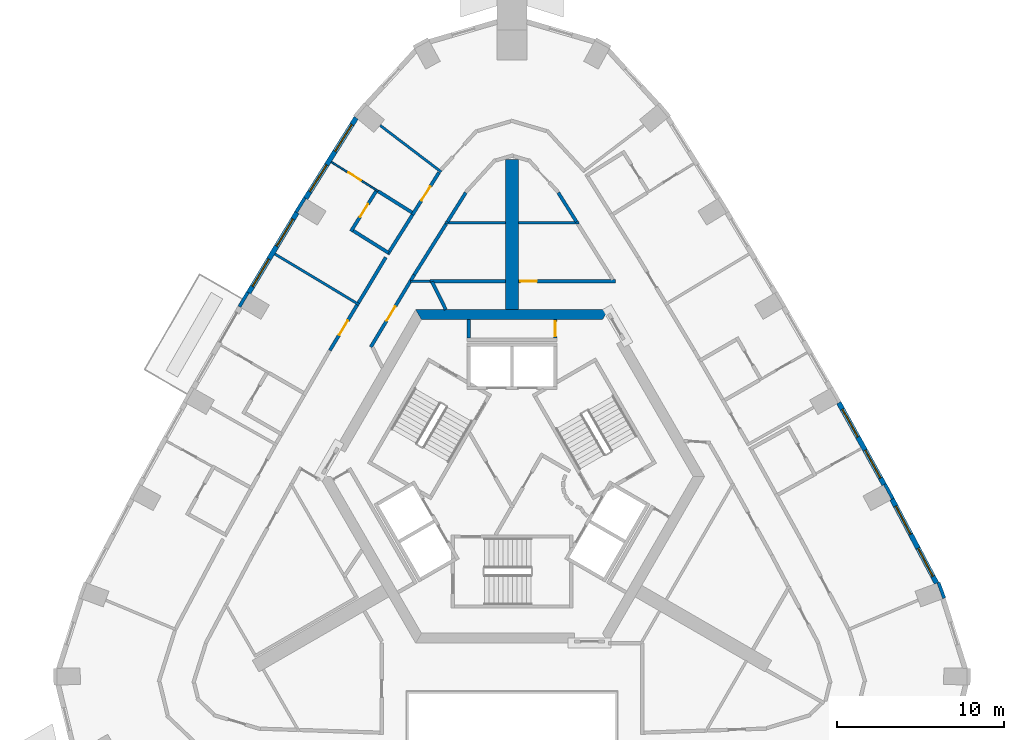
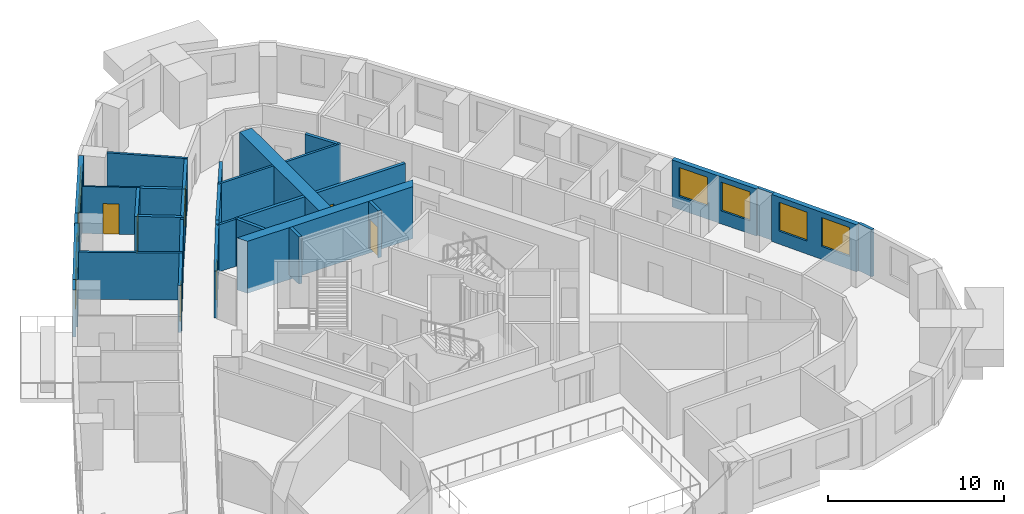
# One storey, part 8 of 13: 33 walls, 8 windows, 7 doors, 15 openings.
"""IFC4 building model written with IfcOpenShell, lengths in metres."""

from ifc_helpers import new_model, si_unit, direction, frame, frame_2d, origin, place, context, subcontext, project, spatial, polyline, rectangle, outline, extrude, material, layer, layer_set, type_object, element, fill, save


model = new_model("IFC4")

# Units and contexts
model_context = context("Model", 3, precision=1e-05, world=origin(), true_north=direction((0.0, 1.0)))
body_context = subcontext(model_context, "Body", "Model", "MODEL_VIEW")
ifc_project = project(units=[si_unit("LENGTHUNIT", "METRE"), si_unit("AREAUNIT", "SQUARE_METRE"), si_unit("VOLUMEUNIT", "CUBIC_METRE"), si_unit("PLANEANGLEUNIT", "RADIAN"), si_unit("MASSUNIT", "GRAM", prefix="KILO")], contexts=[model_context])

# Site, building, storey
site_placement = place(None, origin())
site = spatial("IfcSite", under=ifc_project, at=site_placement, CompositionType="ELEMENT")
building_placement = place(site_placement, origin())
building = spatial("IfcBuilding", under=site, at=building_placement, Name="Entoto Arch Interchange Tower", CompositionType="ELEMENT")
storey_placement = place(building_placement, frame((0.0, 0.0, 270.199951171875)))
storey = spatial("IfcBuildingStorey", under=building, at=storey_placement, Name="L62", CompositionType="ELEMENT", Elevation=270.199951171875)

# Walls
ifc_material_1 = material(Name="Concrete C40/50", Category="concrete")
ifc_layer_1 = layer(ifc_material_1, 0.800048828125)
ifc_layer_set_1 = layer_set([ifc_layer_1], Name="Concrete C40/50")
wall_type_1 = type_object("IfcWallType", Name="Buttress wall 800 C40/50", PredefinedType="SHEAR", material=ifc_layer_set_1)
wall_1_placement = place(storey_placement, frame((0.0, 12.5, -0.33984375), z_axis=(0.0, 0.0, 1.0), x_axis=(0.0, 1.0, 0.0)))
element("IfcWall", 1, at=wall_1_placement, inside=storey, type_object=wall_type_1, Name="Buttress wall N L62", PredefinedType="SHEAR", context=body_context, shape_type="SweptSolid", body=[
    extrude(rectangle(XDim=9.0, YDim=0.800048828125, at=frame_2d((4.5, 0.0))), origin(), (0.0, 0.0, 1.0), 3.599853515625),
])
ifc_layer_2 = layer(ifc_material_1, 0.60009765625)
ifc_layer_set_2 = layer_set([ifc_layer_2], Name="Concrete C40/50")
wall_type_2 = type_object("IfcWallType", Name="Core wall 600 C40/50", PredefinedType="SHEAR", material=ifc_layer_set_2)
wall_2_placement = place(storey_placement, frame((0.0, 0.0, -0.33984375)))
element("IfcWall", 2, at=wall_2_placement, inside=storey, type_object=wall_type_2, Name="Core wall N L62", PredefinedType="SHEAR", context=body_context, shape_type="SweptSolid", body=[
    extrude(outline(polyline([(5.77392578125, 12.5), (-5.77392578125, 12.5), (-5.427001953125, 11.89990234375), (5.427001953125, 11.89990234375), (5.77392578125, 12.5)])), origin(), (0.0, 0.0, 1.0), 3.599853515625),
])

# Wall, opening, door
ifc_material_2 = material(Name="Gypsum board partition on steel studs", Category="steel")
ifc_layer_3 = layer(ifc_material_2, 0.10009765625)
ifc_layer_set_3 = layer_set([ifc_layer_3], Name="Gypsum board partition on steel studs")
wall_type_3 = type_object("IfcWallType", Name="PARTITION 100", PredefinedType="PARTITIONING", material=ifc_layer_set_3)
wall_3_placement = place(storey_placement, frame((-8.029052734375, 19.597900390625, 0.0), z_axis=(0.0, 0.0, 1.0), x_axis=(-0.847216023371, 0.531248538581, 0.0)))
wall_3 = element("IfcWall", 3, at=wall_3_placement, inside=storey, type_object=wall_type_3, Name="wall:L62:p129", PredefinedType="PARTITIONING", context=body_context, shape_type="SweptSolid", body=[
    extrude(rectangle(XDim=3.300048828125, YDim=0.10009765625, at=frame_2d((1.64990234375, 0.0))), origin(), (0.0, 0.0, 1.0), 3.260009765625),
])
opening_1_placement = place(wall_3_placement, frame((1.199951171875, 0.0, 0.0)))
opening_1 = element("IfcOpeningElement", 4, at=opening_1_placement, cuts=wall_3, Name="Opening L62-D11", PredefinedType="OPENING", context=body_context, shape_type="SweptSolid", body=[
    extrude(rectangle(XDim=0.89990234375, YDim=2.10009765625, at=frame_2d((0.449951171875, 1.050048828125))), frame((0.0, 0.06005859375, 0.0), z_axis=(0.0, -1.0, 0.0), x_axis=(1.0, 0.0, 0.0)), (0.0, 0.0, 1.0), 0.1201171875),
])
ifc_material_3 = material(Name="Timber door leaf in Steel S235 frame", Category="steel")
door_type_1 = type_object("IfcDoorType", Name="DOOR DS-09 900x2100", OperationType="SINGLE_SWING_LEFT", PredefinedType="DOOR", material=ifc_material_3)
door_1_placement = place(opening_1_placement, origin())
door_1 = element("IfcDoor", 5, at=door_1_placement, inside=storey, type_object=door_type_1, Name="door:L62:11", OperationType="SINGLE_SWING_RIGHT", OverallHeight=2.10009765625, OverallWidth=0.89990234375, PredefinedType="DOOR", context=body_context, shape_type="SweptSolid", body=[
    extrude(rectangle(XDim=0.89990234375, YDim=2.10009765625, at=frame_2d((0.449951171875, 1.050048828125))), frame((0.0, 0.02490234375, 0.0), z_axis=(0.0, -1.0, 0.0), x_axis=(1.0, 0.0, 0.0)), (0.0, 0.0, 1.0), 0.050048828125),
])
fill(opening_1, door_1)

# Walls
ifc_layer_4 = layer(ifc_material_2, 0.14990234375)
ifc_layer_set_4 = layer_set([ifc_layer_4], Name="Gypsum board partition on steel studs")
wall_type_4 = type_object("IfcWallType", Name="PARTITION 150", PredefinedType="PARTITIONING", material=ifc_layer_set_4)
wall_4_placement = place(storey_placement, frame((-4.904052734375, 14.199951171875, 0.0), z_axis=(0.0, 0.0, 1.0), x_axis=(-1.0, 0.0, 0.0)))
element("IfcWall", 6, at=wall_4_placement, inside=storey, type_object=wall_type_4, Name="wall:L62:p083", PredefinedType="PARTITIONING", context=body_context, shape_type="SweptSolid", body=[
    extrude(rectangle(XDim=1.18896484375, YDim=0.14990234375, at=frame_2d((0.594482421875, 0.0))), origin(), (0.0, 0.0, 1.0), 3.260009765625),
])
wall_5_placement = place(storey_placement, frame((-4.008056640625, 17.699951171875, 0.0), z_axis=(0.0, 0.0, 1.0), x_axis=(1.0, 0.0, 0.0)))
element("IfcWall", 7, at=wall_5_placement, inside=storey, type_object=wall_type_4, Name="wall:L62:p104", PredefinedType="PARTITIONING", context=body_context, shape_type="SweptSolid", body=[
    extrude(rectangle(XDim=3.608154296875, YDim=0.14990234375, at=frame_2d((1.80419921875, 0.0))), origin(), (0.0, 0.0, 1.0), 3.260009765625),
])
wall_6_placement = place(storey_placement, frame((-4.238037109375, 20.7509765625, 0.0), z_axis=(0.0, 0.0, 1.0), x_axis=(-0.795806473987, 0.605551034976, 0.0)))
element("IfcWall", 8, at=wall_6_placement, inside=storey, type_object=wall_type_4, Name="wall:L62:p128", PredefinedType="PARTITIONING", context=body_context, shape_type="SweptSolid", body=[
    extrude(rectangle(XDim=4.604248046875, YDim=0.14990234375, at=frame_2d((2.30224609375, 0.0))), origin(), (0.0, 0.0, 1.0), 3.260009765625),
])
wall_7_placement = place(storey_placement, frame((-9.156982421875, 12.7919921875, 0.0), z_axis=(0.0, 0.0, 1.0), x_axis=(-0.856933793276, 0.515426497129, 0.0)))
element("IfcWall", 9, at=wall_7_placement, inside=storey, type_object=wall_type_4, Name="wall:L62:p133", PredefinedType="PARTITIONING", context=body_context, shape_type="SweptSolid", body=[
    extrude(rectangle(XDim=5.89990234375, YDim=0.14990234375, at=frame_2d((2.949951171875, 0.0))), origin(), (0.0, 0.0, 1.0), 3.260009765625),
])
wall_8_placement = place(storey_placement, frame((0.39990234375, 17.699951171875, 0.0), z_axis=(0.0, 0.0, 1.0), x_axis=(1.0, 0.0, 0.0)))
element("IfcWall", 10, at=wall_8_placement, inside=storey, type_object=wall_type_4, Name="wall:L62:p104", PredefinedType="PARTITIONING", context=body_context, shape_type="SweptSolid", body=[
    extrude(rectangle(XDim=3.608154296875, YDim=0.14990234375, at=frame_2d((1.80419921875, 0.0))), origin(), (0.0, 0.0, 1.0), 3.260009765625),
])
ifc_layer_5 = layer(ifc_material_2, 0.199951171875)
ifc_layer_set_5 = layer_set([ifc_layer_5], Name="Gypsum board partition on steel studs")
wall_type_5 = type_object("IfcWallType", Name="PARTITION 200", PredefinedType="PARTITIONING", material=ifc_layer_set_5)
wall_9_placement = place(storey_placement, frame((-3.969970703125, 12.5, 0.0), z_axis=(0.0, 0.0, 1.0), x_axis=(-0.440355460167, 0.89782351757, 0.0)))
element("IfcWall", 11, at=wall_9_placement, inside=storey, type_object=wall_type_5, Name="wall:L62:p003", PredefinedType="PARTITIONING", context=body_context, shape_type="SweptSolid", body=[
    extrude(rectangle(XDim=1.868896484375, YDim=0.199951171875, at=frame_2d((0.9345703125, 0.0))), origin(), (0.0, 0.0, 1.0), 3.260009765625),
])

# Wall, opening, door
wall_10_placement = place(storey_placement, frame((-6.053955078125, 14.263916015625, 0.0), z_axis=(0.0, 0.0, 1.0), x_axis=(-0.515508653897, -0.856884372455, 0.0)))
wall_10 = element("IfcWall", 12, at=wall_10_placement, inside=storey, type_object=wall_type_5, Name="wall:L62:p004", PredefinedType="PARTITIONING", context=body_context, shape_type="SweptSolid", body=[
    extrude(rectangle(XDim=4.67724609375, YDim=0.199951171875, at=frame_2d((2.338623046875, 0.0))), origin(), (0.0, 0.0, 1.0), 3.260009765625),
])
opening_2_placement = place(wall_10_placement, frame((1.839111328125, 0.0, 0.0)))
opening_2 = element("IfcOpeningElement", 13, at=opening_2_placement, cuts=wall_10, Name="Opening L62-D33", PredefinedType="OPENING", context=body_context, shape_type="SweptSolid", body=[
    extrude(rectangle(XDim=1.0, YDim=2.10009765625, at=frame_2d((0.5, 1.050048828125))), frame((0.0, 0.10986328125, 0.0), z_axis=(0.0, -1.0, 0.0), x_axis=(1.0, 0.0, 0.0)), (0.0, 0.0, 1.0), 0.219970703125),
])
door_type_2 = type_object("IfcDoorType", Name="DOOR DS-10 1000x2100", OperationType="SINGLE_SWING_LEFT", PredefinedType="DOOR", material=ifc_material_3)
door_2_placement = place(opening_2_placement, origin())
door_2 = element("IfcDoor", 14, at=door_2_placement, inside=storey, type_object=door_type_2, Name="door:L62:33", OperationType="SINGLE_SWING_LEFT", OverallHeight=2.10009765625, OverallWidth=1.0, PredefinedType="DOOR", context=body_context, shape_type="SweptSolid", body=[
    extrude(rectangle(XDim=1.0, YDim=2.10009765625, at=frame_2d((0.5, 1.050048828125))), frame((0.0, 0.02490234375, 0.0), z_axis=(0.0, -1.0, 0.0), x_axis=(1.0, 0.0, 0.0)), (0.0, 0.0, 1.0), 0.050048828125),
])
fill(opening_2, door_2)

# Walls
wall_11_placement = place(storey_placement, frame((-4.904052734375, 14.199951171875, 0.0), z_axis=(0.0, 0.0, 1.0), x_axis=(1.0, 0.0, 0.0)))
element("IfcWall", 15, at=wall_11_placement, inside=storey, type_object=wall_type_5, Name="wall:L62:p009", PredefinedType="PARTITIONING", context=body_context, shape_type="SweptSolid", body=[
    extrude(rectangle(XDim=4.504150390625, YDim=0.199951171875, at=frame_2d((2.251953125, 0.0))), origin(), (0.0, 0.0, 1.0), 3.260009765625),
])
wall_12_placement = place(storey_placement, frame((-3.947998046875, 17.635986328125, 0.0), z_axis=(0.0, 0.0, 1.0), x_axis=(-0.531380509042, -0.847133256702, 0.0)))
element("IfcWall", 16, at=wall_12_placement, inside=storey, type_object=wall_type_5, Name="wall:L62:p012", PredefinedType="PARTITIONING", context=body_context, shape_type="SweptSolid", body=[
    extrude(rectangle(XDim=3.60400390625, YDim=0.199951171875, at=frame_2d((1.802001953125, 0.0))), origin(), (0.0, 0.0, 1.0), 3.260009765625),
])
wall_13_placement = place(storey_placement, frame((-5.863037109375, 14.5830078125, 0.0), z_axis=(0.0, 0.0, 1.0), x_axis=(-0.513433271491, -0.858129521533, 0.0)))
element("IfcWall", 17, at=wall_13_placement, inside=storey, type_object=wall_type_5, Name="wall:L62:p013", PredefinedType="PARTITIONING", context=body_context, shape_type="SweptSolid", body=[
    extrude(rectangle(XDim=0.371826171875, YDim=0.199951171875, at=frame_2d((0.18603515625, 0.0))), origin(), (0.0, 0.0, 1.0), 3.260009765625),
])
for number, where, z_axis, x_axis, name in (
    (18, (3.867919921875, 17.763916015625, 0.0), (0.0, 0.0, 1.0), (-0.531062870102, 0.847332418829, 0.0), "wall:L62:p014"),
    (19, (-2.77294921875, 19.510986328125, 0.0), (0.0, 0.0, 1.0), (-0.531062870102, -0.847332418829, 0.0), "wall:L62:p019"),
):
    element("IfcWall", number, at=place(storey_placement, frame(where, z_axis=z_axis, x_axis=x_axis)), inside=storey, type_object=wall_type_5, Name=name, PredefinedType="PARTITIONING", context=body_context, shape_type="SweptSolid", body=[
        extrude(rectangle(XDim=2.061767578125, YDim=0.199951171875, at=frame_2d((1.03076171875, 0.0))), origin(), (0.0, 0.0, 1.0), 3.260009765625),
    ])

# Wall, opening, door
wall_14_placement = place(storey_placement, frame((-5.965087890625, 18.18505859375, 0.0), z_axis=(0.0, 0.0, 1.0), x_axis=(0.531256372055, 0.847211111324, 0.0)))
wall_14 = element("IfcWall", 20, at=wall_14_placement, inside=storey, type_object=wall_type_5, Name="wall:L62:p057", PredefinedType="PARTITIONING", context=body_context, shape_type="SweptSolid", body=[
    extrude(rectangle(XDim=3.00048828125, YDim=0.199951171875, at=frame_2d((1.500244140625, 0.0))), origin(), (0.0, 0.0, 1.0), 3.260009765625),
])
opening_3_placement = place(wall_14_placement, frame((1.0, 0.0, 0.0)))
opening_3 = element("IfcOpeningElement", 21, at=opening_3_placement, cuts=wall_14, Name="Opening L62-D10", PredefinedType="OPENING", context=body_context, shape_type="SweptSolid", body=[
    extrude(rectangle(XDim=1.0, YDim=2.10009765625, at=frame_2d((0.5, 1.050048828125))), frame((0.0, 0.10986328125, 0.0), z_axis=(0.0, -1.0, 0.0), x_axis=(1.0, 0.0, 0.0)), (0.0, 0.0, 1.0), 0.219970703125),
])
ifc_material_4 = material(Name="Fire-rated Steel S235 door and frame", Category="steel")
door_type_3 = type_object("IfcDoorType", Name="DOOR FD-10 1000x2100", OperationType="SINGLE_SWING_LEFT", PredefinedType="DOOR", material=ifc_material_4)
door_3_placement = place(opening_3_placement, origin())
door_3 = element("IfcDoor", 22, at=door_3_placement, inside=storey, type_object=door_type_3, Name="door:L62:10", OperationType="SINGLE_SWING_LEFT", OverallHeight=2.10009765625, OverallWidth=1.0, PredefinedType="DOOR", context=body_context, shape_type="SweptSolid", body=[
    extrude(rectangle(XDim=1.0, YDim=2.10009765625, at=frame_2d((0.5, 1.050048828125))), frame((0.0, 0.02490234375, 0.0), z_axis=(0.0, -1.0, 0.0), x_axis=(1.0, 0.0, 0.0)), (0.0, 0.0, 1.0), 0.050048828125),
])
fill(opening_3, door_3)

# Walls
wall_15_placement = place(storey_placement, frame((-9.2041015625, 12.907958984375, 0.0), z_axis=(0.0, 0.0, 1.0), x_axis=(0.51556943596, 0.856847802532, 0.0)))
element("IfcWall", 23, at=wall_15_placement, inside=storey, type_object=wall_type_5, Name="wall:L62:p058", PredefinedType="PARTITIONING", context=body_context, shape_type="SweptSolid", body=[
    extrude(rectangle(XDim=3.175537109375, YDim=0.199951171875, at=frame_2d((1.587890625, 0.0))), origin(), (0.0, 0.0, 1.0), 3.260009765625),
])
wall_16_placement = place(storey_placement, frame((-7.451904296875, 15.81298828125, 0.0), z_axis=(0.0, 0.0, 1.0), x_axis=(0.531095943551, 0.847311689252, 0.0)))
element("IfcWall", 24, at=wall_16_placement, inside=storey, type_object=wall_type_5, Name="wall:L62:p059", PredefinedType="PARTITIONING", context=body_context, shape_type="SweptSolid", body=[
    extrude(rectangle(XDim=2.799560546875, YDim=0.199951171875, at=frame_2d((1.39990234375, 0.0))), origin(), (0.0, 0.0, 1.0), 3.260009765625),
])

# Wall, opening, door
wall_17_placement = place(storey_placement, frame((-10.9189453125, 10.056884765625, 0.0), z_axis=(0.0, 0.0, 1.0), x_axis=(0.515568955032, 0.856848091908, 0.0)))
wall_17 = element("IfcWall", 25, at=wall_17_placement, inside=storey, type_object=wall_type_5, Name="wall:L62:p061", PredefinedType="PARTITIONING", context=body_context, shape_type="SweptSolid", body=[
    extrude(rectangle(XDim=3.177001953125, YDim=0.199951171875, at=frame_2d((1.58837890625, 0.0))), origin(), (0.0, 0.0, 1.0), 3.260009765625),
])
opening_4_placement = place(wall_17_placement, frame((1.087890625, 0.0, 0.0)))
opening_4 = element("IfcOpeningElement", 26, at=opening_4_placement, cuts=wall_17, Name="Opening L62-D13", PredefinedType="OPENING", context=body_context, shape_type="SweptSolid", body=[
    extrude(rectangle(XDim=1.0, YDim=2.10009765625, at=frame_2d((0.5, 1.050048828125))), frame((0.0, 0.10986328125, 0.0), z_axis=(0.0, -1.0, 0.0), x_axis=(1.0, 0.0, 0.0)), (0.0, 0.0, 1.0), 0.219970703125),
])
door_4_placement = place(opening_4_placement, origin())
door_4 = element("IfcDoor", 27, at=door_4_placement, inside=storey, type_object=door_type_3, Name="door:L62:13", OperationType="SINGLE_SWING_LEFT", OverallHeight=2.10009765625, OverallWidth=1.0, PredefinedType="DOOR", context=body_context, shape_type="SweptSolid", body=[
    extrude(rectangle(XDim=1.0, YDim=2.10009765625, at=frame_2d((0.5, 1.050048828125))), frame((0.0, 0.02490234375, 0.0), z_axis=(0.0, -1.0, 0.0), x_axis=(1.0, 0.0, 0.0)), (0.0, 0.0, 1.0), 0.050048828125),
])
fill(opening_4, door_4)

# Wall
wall_18_placement = place(storey_placement, frame((-2.60009765625, 10.800048828125, 0.0), z_axis=(0.0, 0.0, 1.0), x_axis=(0.0, 1.0, 0.0)))
element("IfcWall", 28, at=wall_18_placement, inside=storey, type_object=wall_type_5, Name="wall:L62:p072", PredefinedType="PARTITIONING", context=body_context, shape_type="SweptSolid", body=[
    extrude(rectangle(XDim=1.099853515625, YDim=0.199951171875, at=frame_2d((0.5498046875, 0.0))), origin(), (0.0, 0.0, 1.0), 3.260009765625),
])

# Wall, opening, door
wall_19_placement = place(storey_placement, frame((2.60009765625, 11.89990234375, 0.0), z_axis=(0.0, 0.0, 1.0), x_axis=(0.0, -1.0, 0.0)))
wall_19 = element("IfcWall", 29, at=wall_19_placement, inside=storey, type_object=wall_type_5, Name="wall:L62:p073", PredefinedType="PARTITIONING", context=body_context, shape_type="SweptSolid", body=[
    extrude(rectangle(XDim=1.099853515625, YDim=0.199951171875, at=frame_2d((0.5498046875, 0.0))), origin(), (0.0, 0.0, 1.0), 3.260009765625),
])
opening_5_placement = place(wall_19_placement, frame((0.10009765625, 0.0, 0.0)))
opening_5 = element("IfcOpeningElement", 30, at=opening_5_placement, cuts=wall_19, Name="Opening L62-D37", PredefinedType="OPENING", context=body_context, shape_type="SweptSolid", body=[
    extrude(rectangle(XDim=0.89990234375, YDim=2.10009765625, at=frame_2d((0.449951171875, 1.050048828125))), frame((0.0, 0.10986328125, 0.0), z_axis=(0.0, -1.0, 0.0), x_axis=(1.0, 0.0, 0.0)), (0.0, 0.0, 1.0), 0.219970703125),
])
door_5_placement = place(opening_5_placement, origin())
door_5 = element("IfcDoor", 31, at=door_5_placement, inside=storey, type_object=door_type_1, Name="door:L62:37", OperationType="SINGLE_SWING_LEFT", OverallHeight=2.10009765625, OverallWidth=0.89990234375, PredefinedType="DOOR", context=body_context, shape_type="SweptSolid", body=[
    extrude(rectangle(XDim=0.89990234375, YDim=2.10009765625, at=frame_2d((0.449951171875, 1.050048828125))), frame((0.0, 0.02490234375, 0.0), z_axis=(0.0, -1.0, 0.0), x_axis=(1.0, 0.0, 0.0)), (0.0, 0.0, 1.0), 0.050048828125),
])
fill(opening_5, door_5)

# Wall
wall_20_placement = place(storey_placement, frame((-5.99609375, 18.322998046875, 0.0), z_axis=(0.0, 0.0, 1.0), x_axis=(-0.847191403331, 0.531287799711, 0.0)))
element("IfcWall", 32, at=wall_20_placement, inside=storey, type_object=wall_type_5, Name="wall:L62:p130", PredefinedType="PARTITIONING", context=body_context, shape_type="SweptSolid", body=[
    extrude(rectangle(XDim=2.399658203125, YDim=0.199951171875, at=frame_2d((1.19970703125, 0.0))), origin(), (0.0, 0.0, 1.0), 3.260009765625),
])

# Wall, opening, door
wall_21_placement = place(storey_placement, frame((-8.087890625, 19.693115234375, 0.0), z_axis=(0.0, 0.0, 1.0), x_axis=(-0.531277961984, -0.847197572654, 0.0)))
wall_21 = element("IfcWall", 33, at=wall_21_placement, inside=storey, type_object=wall_type_5, Name="wall:L62:p131", PredefinedType="PARTITIONING", context=body_context, shape_type="SweptSolid", body=[
    extrude(rectangle(XDim=2.94970703125, YDim=0.199951171875, at=frame_2d((1.474853515625, 0.0))), origin(), (0.0, 0.0, 1.0), 3.260009765625),
])
opening_6_placement = place(wall_21_placement, frame((1.02490234375, 0.0, 0.0)))
opening_6 = element("IfcOpeningElement", 34, at=opening_6_placement, cuts=wall_21, Name="Opening L62-D12", PredefinedType="OPENING", context=body_context, shape_type="SweptSolid", body=[
    extrude(rectangle(XDim=0.89990234375, YDim=2.10009765625, at=frame_2d((0.449951171875, 1.050048828125))), frame((0.0, 0.10986328125, 0.0), z_axis=(0.0, -1.0, 0.0), x_axis=(1.0, 0.0, 0.0)), (0.0, 0.0, 1.0), 0.219970703125),
])
door_6_placement = place(opening_6_placement, origin())
door_6 = element("IfcDoor", 35, at=door_6_placement, inside=storey, type_object=door_type_1, Name="door:L62:12", OperationType="SINGLE_SWING_LEFT", OverallHeight=2.10009765625, OverallWidth=0.89990234375, PredefinedType="DOOR", context=body_context, shape_type="SweptSolid", body=[
    extrude(rectangle(XDim=0.89990234375, YDim=2.10009765625, at=frame_2d((0.449951171875, 1.050048828125))), frame((0.0, 0.02490234375, 0.0), z_axis=(0.0, -1.0, 0.0), x_axis=(1.0, 0.0, 0.0)), (0.0, 0.0, 1.0), 0.050048828125),
])
fill(opening_6, door_6)

# Wall
wall_22_placement = place(storey_placement, frame((-9.51708984375, 17.22607421875, 0.0), z_axis=(0.0, 0.0, 1.0), x_axis=(0.847229363594, -0.53122726348, 0.0)))
element("IfcWall", 36, at=wall_22_placement, inside=storey, type_object=wall_type_5, Name="wall:L62:p132", PredefinedType="PARTITIONING", context=body_context, shape_type="SweptSolid", body=[
    extrude(rectangle(XDim=2.5, YDim=0.199951171875, at=frame_2d((1.25, 0.0))), origin(), (0.0, 0.0, 1.0), 3.260009765625),
])

# Wall, opening, door
wall_23_placement = place(storey_placement, frame((0.39990234375, 14.199951171875, 0.0), z_axis=(0.0, 0.0, 1.0), x_axis=(1.0, 0.0, 0.0)))
wall_23 = element("IfcWall", 37, at=wall_23_placement, inside=storey, type_object=wall_type_5, Name="wall:L62:p009", PredefinedType="PARTITIONING", context=body_context, shape_type="SweptSolid", body=[
    extrude(rectangle(XDim=5.793212890625, YDim=0.199951171875, at=frame_2d((2.896484375, 0.0))), origin(), (0.0, 0.0, 1.0), 3.260009765625),
])
opening_7_placement = place(wall_23_placement, frame((0.094970703125, 0.0, 0.0)))
opening_7 = element("IfcOpeningElement", 38, at=opening_7_placement, cuts=wall_23, Name="Opening L62-D27", PredefinedType="OPENING", context=body_context, shape_type="SweptSolid", body=[
    extrude(rectangle(XDim=1.0, YDim=2.10009765625, at=frame_2d((0.5, 1.050048828125))), frame((0.0, 0.10986328125, 0.0), z_axis=(0.0, -1.0, 0.0), x_axis=(1.0, 0.0, 0.0)), (0.0, 0.0, 1.0), 0.219970703125),
])
door_7_placement = place(opening_7_placement, origin())
door_7 = element("IfcDoor", 39, at=door_7_placement, inside=storey, type_object=door_type_2, Name="door:L62:27", OperationType="SINGLE_SWING_LEFT", OverallHeight=2.10009765625, OverallWidth=1.0, PredefinedType="DOOR", context=body_context, shape_type="SweptSolid", body=[
    extrude(rectangle(XDim=1.0, YDim=2.10009765625, at=frame_2d((0.5, 1.050048828125))), frame((0.0, 0.02490234375, 0.0), z_axis=(0.0, -1.0, 0.0), x_axis=(1.0, 0.0, 0.0)), (0.0, 0.0, 1.0), 0.050048828125),
])
fill(opening_7, door_7)

# Wall, openings, windows
ifc_material_5 = material(Name="Welded tuff (ignimbrite) cladding, warm buff", Category="masonry")
ifc_layer_6 = layer(ifc_material_5, 0.300048828125)
ifc_layer_set_6 = layer_set([ifc_layer_6], Name="Welded tuff (ignimbrite) cladding, warm buff")
wall_type_6 = type_object("IfcWallType", Name="STONE INFILL WALL 300", PredefinedType="STANDARD", material=ifc_layer_set_6)
wall_24_placement = place(storey_placement, frame((25.4541015625, -3.906982421875, 0.0), z_axis=(0.0, 0.0, 1.0), x_axis=(-0.468220106253, 0.883611867338, 0.0)))
wall_24 = element("IfcWall", 40, at=wall_24_placement, inside=storey, type_object=wall_type_6, Name="Facade wall NE-01 L62", PredefinedType="STANDARD", context=body_context, shape_type="SweptSolid", body=[
    extrude(rectangle(XDim=5.702880859375, YDim=0.300048828125, at=frame_2d((2.8515625, 0.0))), origin(), (0.0, 0.0, 1.0), 3.260009765625),
])
opening_8_placement = place(wall_24_placement, frame((0.47607421875, 0.0, 0.89990234375)))
opening_8 = element("IfcOpeningElement", 41, at=opening_8_placement, cuts=wall_24, Name="Opening WH-C", PredefinedType="OPENING", context=body_context, shape_type="SweptSolid", body=[
    extrude(rectangle(XDim=1.89990234375, YDim=2.0, at=frame_2d((0.949951171875, 1.0))), frame((0.0, 0.16015625, 0.0), z_axis=(0.0, -1.0, 0.0), x_axis=(1.0, 0.0, 0.0)), (0.0, 0.0, 1.0), 0.320068359375),
])
opening_9_placement = place(wall_24_placement, frame((3.326904296875, 0.0, 0.89990234375)))
opening_9 = element("IfcOpeningElement", 42, at=opening_9_placement, cuts=wall_24, Name="Opening WH-C", PredefinedType="OPENING", context=body_context, shape_type="SweptSolid", body=[
    extrude(rectangle(XDim=1.89990234375, YDim=2.0, at=frame_2d((0.949951171875, 1.0))), frame((0.0, 0.16015625, 0.0), z_axis=(0.0, -1.0, 0.0), x_axis=(1.0, 0.0, 0.0)), (0.0, 0.0, 1.0), 0.320068359375),
])
ifc_material_6 = material(Name="Clear glass, low-e double glazed", Category="glass")
window_type = type_object("IfcWindowType", Name="WINDOW WH-C 1900x2000", PartitioningType="DOUBLE_PANEL_VERTICAL", PredefinedType="WINDOW", material=ifc_material_6)
window_1_placement = place(opening_8_placement, origin())
window_1 = element("IfcWindow", 43, at=window_1_placement, inside=storey, type_object=window_type, Name="Window WH-C NE-01 L62", OverallHeight=2.0, OverallWidth=1.89990234375, PartitioningType="SINGLE_PANEL", PredefinedType="WINDOW", context=body_context, shape_type="SweptSolid", body=[
    extrude(rectangle(XDim=1.89990234375, YDim=2.0, at=frame_2d((0.949951171875, 1.0))), frame((0.0, 0.030029296875, 0.0), z_axis=(0.0, -1.0, 0.0), x_axis=(1.0, 0.0, 0.0)), (0.0, 0.0, 1.0), 0.06005859375),
])
fill(opening_8, window_1)
window_2_placement = place(opening_9_placement, origin())
window_2 = element("IfcWindow", 44, at=window_2_placement, inside=storey, type_object=window_type, Name="Window WH-C NE-01 L62", OverallHeight=2.0, OverallWidth=1.89990234375, PartitioningType="SINGLE_PANEL", PredefinedType="WINDOW", context=body_context, shape_type="SweptSolid", body=[
    extrude(rectangle(XDim=1.89990234375, YDim=2.0, at=frame_2d((0.949951171875, 1.0))), frame((0.0, 0.030029296875, 0.0), z_axis=(0.0, -1.0, 0.0), x_axis=(1.0, 0.0, 0.0)), (0.0, 0.0, 1.0), 0.06005859375),
])
fill(opening_9, window_2)

wall_25_placement = place(storey_placement, frame((22.30810546875, 2.010009765625, 0.0), z_axis=(0.0, 0.0, 1.0), x_axis=(-0.484260568952, 0.874923826032, 0.0)))
wall_25 = element("IfcWall", 45, at=wall_25_placement, inside=storey, type_object=wall_type_6, Name="Facade wall NE-02 L62", PredefinedType="STANDARD", context=body_context, shape_type="SweptSolid", body=[
    extrude(rectangle(XDim=5.610595703125, YDim=0.300048828125, at=frame_2d((2.80517578125, 0.0))), origin(), (0.0, 0.0, 1.0), 3.260009765625),
])
opening_10_placement = place(wall_25_placement, frame((0.452880859375, 0.0, 0.89990234375)))
opening_10 = element("IfcOpeningElement", 46, at=opening_10_placement, cuts=wall_25, Name="Opening WH-C", PredefinedType="OPENING", context=body_context, shape_type="SweptSolid", body=[
    extrude(rectangle(XDim=1.89990234375, YDim=2.0, at=frame_2d((0.949951171875, 1.0))), frame((0.0, 0.16015625, 0.0), z_axis=(0.0, -1.0, 0.0), x_axis=(1.0, 0.0, 0.0)), (0.0, 0.0, 1.0), 0.320068359375),
])
opening_11_placement = place(wall_25_placement, frame((3.258056640625, 0.0, 0.89990234375)))
opening_11 = element("IfcOpeningElement", 47, at=opening_11_placement, cuts=wall_25, Name="Opening WH-C", PredefinedType="OPENING", context=body_context, shape_type="SweptSolid", body=[
    extrude(rectangle(XDim=1.89990234375, YDim=2.0, at=frame_2d((0.949951171875, 1.0))), frame((0.0, 0.16015625, 0.0), z_axis=(0.0, -1.0, 0.0), x_axis=(1.0, 0.0, 0.0)), (0.0, 0.0, 1.0), 0.320068359375),
])
window_3_placement = place(opening_10_placement, origin())
window_3 = element("IfcWindow", 48, at=window_3_placement, inside=storey, type_object=window_type, Name="Window WH-C NE-02 L62", OverallHeight=2.0, OverallWidth=1.89990234375, PartitioningType="SINGLE_PANEL", PredefinedType="WINDOW", context=body_context, shape_type="SweptSolid", body=[
    extrude(rectangle(XDim=1.89990234375, YDim=2.0, at=frame_2d((0.949951171875, 1.0))), frame((0.0, 0.030029296875, 0.0), z_axis=(0.0, -1.0, 0.0), x_axis=(1.0, 0.0, 0.0)), (0.0, 0.0, 1.0), 0.06005859375),
])
fill(opening_10, window_3)
window_4_placement = place(opening_11_placement, origin())
window_4 = element("IfcWindow", 49, at=window_4_placement, inside=storey, type_object=window_type, Name="Window WH-C NE-02 L62", OverallHeight=2.0, OverallWidth=1.89990234375, PartitioningType="SINGLE_PANEL", PredefinedType="WINDOW", context=body_context, shape_type="SweptSolid", body=[
    extrude(rectangle(XDim=1.89990234375, YDim=2.0, at=frame_2d((0.949951171875, 1.0))), frame((0.0, 0.030029296875, 0.0), z_axis=(0.0, -1.0, 0.0), x_axis=(1.0, 0.0, 0.0)), (0.0, 0.0, 1.0), 0.06005859375),
])
fill(opening_11, window_4)

wall_26_placement = place(storey_placement, frame((-9.343017578125, 23.998046875, 0.0), z_axis=(0.0, 0.0, 1.0), x_axis=(-0.531137483242, -0.847285650708, 0.0)))
wall_26 = element("IfcWall", 50, at=wall_26_placement, inside=storey, type_object=wall_type_6, Name="Facade wall NW-01 L62", PredefinedType="STANDARD", context=body_context, shape_type="SweptSolid", body=[
    extrude(rectangle(XDim=5.702880859375, YDim=0.300048828125, at=frame_2d((2.8515625, 0.0))), origin(), (0.0, 0.0, 1.0), 3.260009765625),
])
opening_12_placement = place(wall_26_placement, frame((0.47607421875, 0.0, 0.89990234375)))
opening_12 = element("IfcOpeningElement", 51, at=opening_12_placement, cuts=wall_26, Name="Opening WH-C", PredefinedType="OPENING", context=body_context, shape_type="SweptSolid", body=[
    extrude(rectangle(XDim=1.89990234375, YDim=2.0, at=frame_2d((0.949951171875, 1.0))), frame((0.0, 0.16015625, 0.0), z_axis=(0.0, -1.0, 0.0), x_axis=(1.0, 0.0, 0.0)), (0.0, 0.0, 1.0), 0.320068359375),
])
opening_13_placement = place(wall_26_placement, frame((3.326904296875, 0.0, 0.89990234375)))
opening_13 = element("IfcOpeningElement", 52, at=opening_13_placement, cuts=wall_26, Name="Opening WH-C", PredefinedType="OPENING", context=body_context, shape_type="SweptSolid", body=[
    extrude(rectangle(XDim=1.89990234375, YDim=2.0, at=frame_2d((0.949951171875, 1.0))), frame((0.0, 0.16015625, 0.0), z_axis=(0.0, -1.0, 0.0), x_axis=(1.0, 0.0, 0.0)), (0.0, 0.0, 1.0), 0.320068359375),
])
window_5_placement = place(opening_12_placement, origin())
window_5 = element("IfcWindow", 53, at=window_5_placement, inside=storey, type_object=window_type, Name="Window WH-C NW-01 L62", OverallHeight=2.0, OverallWidth=1.89990234375, PartitioningType="SINGLE_PANEL", PredefinedType="WINDOW", context=body_context, shape_type="SweptSolid", body=[
    extrude(rectangle(XDim=1.89990234375, YDim=2.0, at=frame_2d((0.949951171875, 1.0))), frame((0.0, 0.030029296875, 0.0), z_axis=(0.0, -1.0, 0.0), x_axis=(1.0, 0.0, 0.0)), (0.0, 0.0, 1.0), 0.06005859375),
])
fill(opening_12, window_5)
window_6_placement = place(opening_13_placement, origin())
window_6 = element("IfcWindow", 54, at=window_6_placement, inside=storey, type_object=window_type, Name="Window WH-C NW-01 L62", OverallHeight=2.0, OverallWidth=1.89990234375, PartitioningType="SINGLE_PANEL", PredefinedType="WINDOW", context=body_context, shape_type="SweptSolid", body=[
    extrude(rectangle(XDim=1.89990234375, YDim=2.0, at=frame_2d((0.949951171875, 1.0))), frame((0.0, 0.030029296875, 0.0), z_axis=(0.0, -1.0, 0.0), x_axis=(1.0, 0.0, 0.0)), (0.0, 0.0, 1.0), 0.06005859375),
])
fill(opening_13, window_6)

wall_27_placement = place(storey_placement, frame((-12.89501953125, 18.31591796875, 0.0), z_axis=(0.0, 0.0, 1.0), x_axis=(-0.515435742129, -0.856928232547, 0.0)))
wall_27 = element("IfcWall", 55, at=wall_27_placement, inside=storey, type_object=wall_type_6, Name="Facade wall NW-02 L62", PredefinedType="STANDARD", context=body_context, shape_type="SweptSolid", body=[
    extrude(rectangle(XDim=5.61279296875, YDim=0.300048828125, at=frame_2d((2.806396484375, 0.0))), origin(), (0.0, 0.0, 1.0), 3.260009765625),
])
opening_14_placement = place(wall_27_placement, frame((0.452880859375, 0.0, 0.89990234375)))
opening_14 = element("IfcOpeningElement", 56, at=opening_14_placement, cuts=wall_27, Name="Opening WH-C", PredefinedType="OPENING", context=body_context, shape_type="SweptSolid", body=[
    extrude(rectangle(XDim=1.89990234375, YDim=2.0, at=frame_2d((0.949951171875, 1.0))), frame((0.0, 0.16015625, 0.0), z_axis=(0.0, -1.0, 0.0), x_axis=(1.0, 0.0, 0.0)), (0.0, 0.0, 1.0), 0.320068359375),
])
opening_15_placement = place(wall_27_placement, frame((3.260009765625, 0.0, 0.89990234375)))
opening_15 = element("IfcOpeningElement", 57, at=opening_15_placement, cuts=wall_27, Name="Opening WH-C", PredefinedType="OPENING", context=body_context, shape_type="SweptSolid", body=[
    extrude(rectangle(XDim=1.89990234375, YDim=2.0, at=frame_2d((0.949951171875, 1.0))), frame((0.0, 0.16015625, 0.0), z_axis=(0.0, -1.0, 0.0), x_axis=(1.0, 0.0, 0.0)), (0.0, 0.0, 1.0), 0.320068359375),
])
window_7_placement = place(opening_14_placement, origin())
window_7 = element("IfcWindow", 58, at=window_7_placement, inside=storey, type_object=window_type, Name="Window WH-C NW-02 L62", OverallHeight=2.0, OverallWidth=1.89990234375, PartitioningType="SINGLE_PANEL", PredefinedType="WINDOW", context=body_context, shape_type="SweptSolid", body=[
    extrude(rectangle(XDim=1.89990234375, YDim=2.0, at=frame_2d((0.949951171875, 1.0))), frame((0.0, 0.030029296875, 0.0), z_axis=(0.0, -1.0, 0.0), x_axis=(1.0, 0.0, 0.0)), (0.0, 0.0, 1.0), 0.06005859375),
])
fill(opening_14, window_7)
window_8_placement = place(opening_15_placement, origin())
window_8 = element("IfcWindow", 59, at=window_8_placement, inside=storey, type_object=window_type, Name="Window WH-C NW-02 L62", OverallHeight=2.0, OverallWidth=1.89990234375, PartitioningType="SINGLE_PANEL", PredefinedType="WINDOW", context=body_context, shape_type="SweptSolid", body=[
    extrude(rectangle(XDim=1.89990234375, YDim=2.0, at=frame_2d((0.949951171875, 1.0))), frame((0.0, 0.030029296875, 0.0), z_axis=(0.0, -1.0, 0.0), x_axis=(1.0, 0.0, 0.0)), (0.0, 0.0, 1.0), 0.06005859375),
])
fill(opening_15, window_8)

# Walls
ifc_layer_7 = layer(ifc_material_5, 0.199951171875)
ifc_layer_set_7 = layer_set([ifc_layer_7], Name="Welded tuff (ignimbrite) cladding, warm buff")
wall_type_7 = type_object("IfcWallType", Name="STONE PIER CLADDING 200", PredefinedType="STANDARD", material=ifc_layer_set_7)
wall_28_placement = place(storey_placement, frame((25.912109375, -4.802978515625, 0.0), z_axis=(0.0, 0.0, 1.0), x_axis=(-0.347107644204, 0.937825294677, 0.0)))
element("IfcWall", 60, at=wall_28_placement, inside=storey, type_object=wall_type_7, Name="Stone pier NE01 L62", PredefinedType="STANDARD", context=body_context, shape_type="SweptSolid", body=[
    extrude(rectangle(XDim=1.000244140625, YDim=0.199951171875, at=frame_2d((0.5, 0.0))), origin(), (0.0, 0.0, 1.0), 3.260009765625),
])
for number, where, z_axis, x_axis, name in (
    (61, (22.8310546875, 1.156005859375, 0.0), (0.0, 0.0, 1.0), (-0.473852444207, 0.880604259085, 0.0), "Stone pier NE02 L62"),
    (62, (-12.4169921875, 19.195068359375, 0.0), (0.0, 0.0, 1.0), (-0.525825307325, -0.850592585306, 0.0), "Stone pier NW02 L62"),
):
    element("IfcWall", number, at=place(storey_placement, frame(where, z_axis=z_axis, x_axis=x_axis)), inside=storey, type_object=wall_type_7, Name=name, PredefinedType="STANDARD", context=body_context, shape_type="SweptSolid", body=[
        extrude(rectangle(XDim=1.00048828125, YDim=0.199951171875, at=frame_2d((0.500244140625, 0.0))), origin(), (0.0, 0.0, 1.0), 3.260009765625),
    ])
wall_29_placement = place(storey_placement, frame((-15.833984375, 13.534912109375, 0.0), z_axis=(0.0, 0.0, 1.0), x_axis=(-0.508268432768, -0.861198699634, 0.0)))
element("IfcWall", 63, at=wall_29_placement, inside=storey, type_object=wall_type_7, Name="Stone pier NW03 L62", PredefinedType="STANDARD", context=body_context, shape_type="SweptSolid", body=[
    extrude(rectangle(XDim=0.99951171875, YDim=0.199951171875, at=frame_2d((0.499755859375, 0.0))), origin(), (0.0, 0.0, 1.0), 3.260009765625),
])

save(model, "model.ifc")
